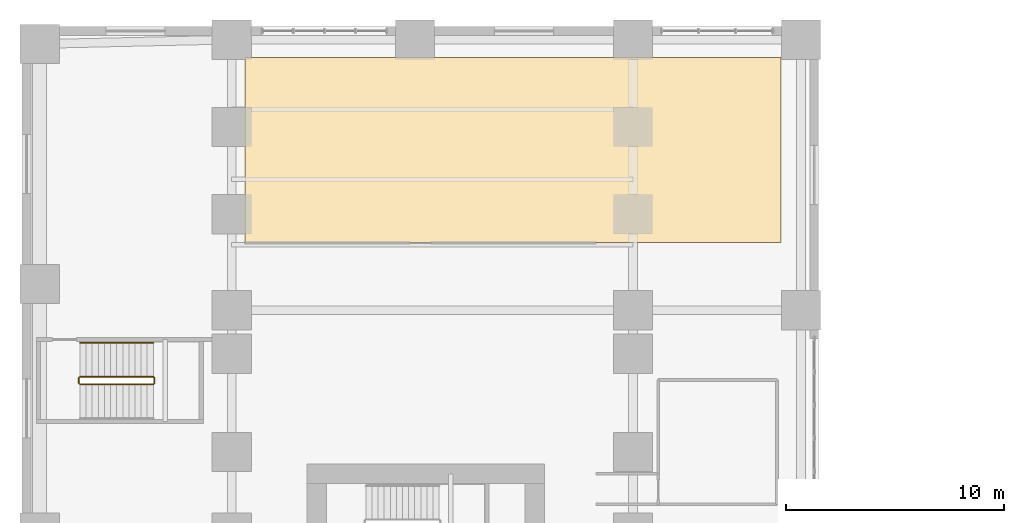
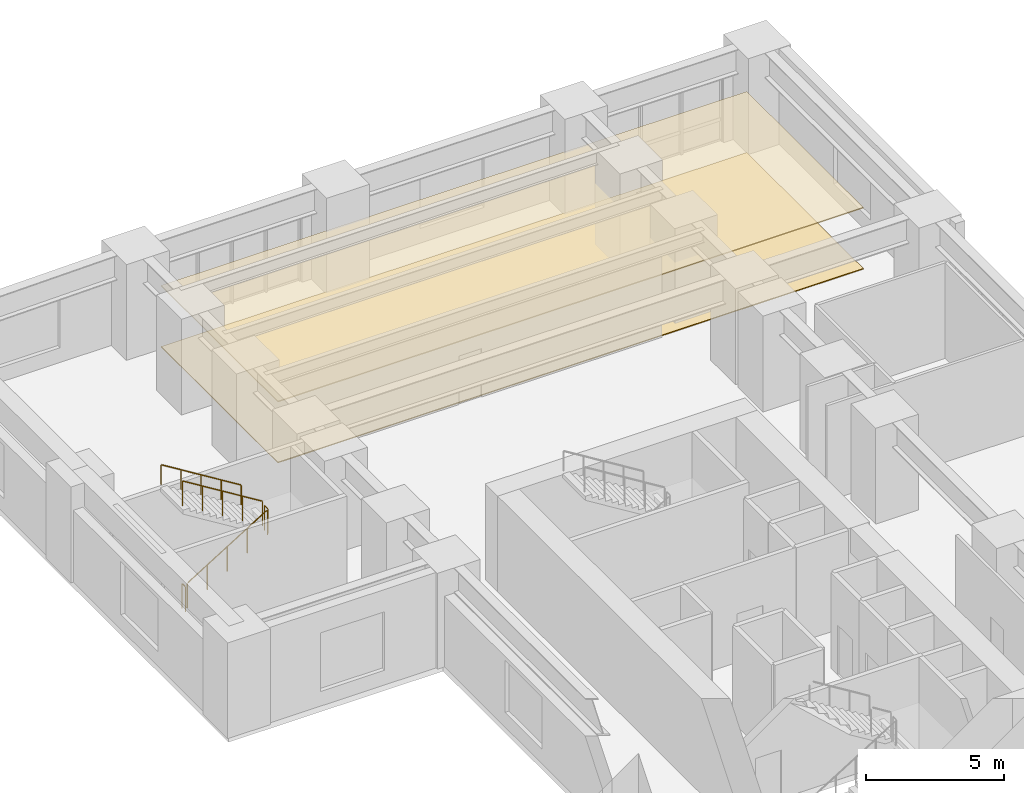
# One storey, part 13 of 13: 5 railings, 2 coverings.
"""IFC4 building model written with IfcOpenShell, lengths in metres."""

from ifc_helpers import new_model, si_unit, direction, frame, origin, origin_2d, place, context, subcontext, project, spatial, polyline, circle, outline, extrude, source, transform, mapped, material, layer, layer_set, type_object, element, save


model = new_model("IFC4")

# Units and contexts
model_context = context("Model", 3, precision=1e-05, world=origin(), true_north=direction((0.0, 1.0)))
body_context = subcontext(model_context, "Body", "Model", "MODEL_VIEW")
ifc_project = project(units=[si_unit("LENGTHUNIT", "METRE"), si_unit("AREAUNIT", "SQUARE_METRE"), si_unit("VOLUMEUNIT", "CUBIC_METRE"), si_unit("PLANEANGLEUNIT", "RADIAN"), si_unit("MASSUNIT", "GRAM", prefix="KILO")], contexts=[model_context])

# Site, building, storey
site_placement = place(None, origin())
site = spatial("IfcSite", under=ifc_project, at=site_placement, CompositionType="ELEMENT")
building_placement = place(site_placement, origin())
building = spatial("IfcBuilding", under=site, at=building_placement, Name="Kharzan Plaza Tower", CompositionType="ELEMENT")
storey_placement = place(building_placement, frame((0.0, 0.0, 4.5)))
storey = spatial("IfcBuildingStorey", under=building, at=storey_placement, Name="L01", CompositionType="ELEMENT", Elevation=4.5)

# Coverings
ifc_material_1 = material(Name="Perforated Acoustic Mineral-Fibre Tile", Category="gypsum")
ifc_layer_1 = layer(ifc_material_1, 0.044921875)
ifc_layer_set_1 = layer_set([ifc_layer_1], Name="Perforated Acoustic Mineral-Fibre Tile")
covering_type_1 = type_object("IfcCoveringType", Name="COV-CEIL-ACT", PredefinedType="CEILING", material=ifc_layer_set_1)
covering_1_placement = place(storey_placement, frame((0.0, 0.0, 2.705078125)))
element("IfcCovering", 1, at=covering_1_placement, inside=storey, type_object=covering_type_1, Name="L01 Suspended Acoustic Ceiling EXH1", PredefinedType="CEILING", context=body_context, shape_type="SweptSolid", body=[
    extrude(outline(polyline([(1.2099609375, 40.110107421875), (25.7900390625, 40.110107421875), (25.7900390625, 48.590087890625), (1.2099609375, 48.590087890625), (1.2099609375, 40.110107421875)])), origin(), (0.0, 0.0, 1.0), 0.044921875),
])
ifc_material_2 = material(Name="Honed Najran Granite Terrazzo", Category="masonry")
ifc_layer_2 = layer(ifc_material_2, 0.0400390625)
ifc_layer_set_2 = layer_set([ifc_layer_2], Name="Honed Najran Granite Terrazzo")
covering_type_2 = type_object("IfcCoveringType", Name="COV-FLOOR-STN", PredefinedType="FLOORING", material=ifc_layer_set_2)
covering_2_placement = place(storey_placement, origin())
element("IfcCovering", 2, at=covering_2_placement, inside=storey, type_object=covering_type_2, Name="L01 Honed Granite Terrazzo Flooring EXH1", PredefinedType="FLOORING", context=body_context, shape_type="SweptSolid", body=[
    extrude(outline(polyline([(1.2099609375, 40.110107421875), (25.7900390625, 40.110107421875), (25.7900390625, 48.590087890625), (1.2099609375, 48.590087890625), (1.2099609375, 40.110107421875)])), origin(), (0.0, 0.0, 1.0), 0.0400390625),
])

# Railings
ifc_material_3 = material(Name="Painted Galvanized Architectural Steel", Category="steel")
ifc_layer_3 = layer(ifc_material_3, 0.074951171875)
ifc_layer_set_3 = layer_set([ifc_layer_3], Name="Painted Galvanized Architectural Steel")
railing_type_1 = type_object("IfcRailingType", Name="RL-GUARD-1120", PredefinedType="BALUSTRADE", material=ifc_layer_set_3)
shared_shape_1 = source(origin(), body_context, "Body", "SweptSolid", [
    extrude(circle(Radius=0.02392578125, at=origin_2d()), frame((0.0224609375, 0.0, 1.10986328125), z_axis=(0.850623216509, 0.0, 0.525775754039), x_axis=(0.0, 1.0, 0.0)), (0.0, 0.0, 1.0), 3.897216796875),
    extrude(circle(Radius=0.02099609375, at=origin_2d()), origin(), (0.0, 0.0, 1.0), 1.072021484375),
    extrude(circle(Radius=0.02099609375, at=origin_2d()), frame((0.840087890625, 0.0, 0.519287109375)), (0.0, 0.0, 1.0), 1.072021484375),
    extrude(circle(Radius=0.02099609375, at=origin_2d()), frame((1.68017578125, 0.0, 1.03857421875)), (0.0, 0.0, 1.0), 1.072021484375),
    extrude(circle(Radius=0.02099609375, at=origin_2d()), frame((2.52001953125, 0.0, 1.5576171875)), (0.0, 0.0, 1.0), 1.072021484375),
    extrude(circle(Radius=0.02099609375, at=origin_2d()), frame((3.360107421875, 0.0, 2.076904296875)), (0.0, 0.0, 1.0), 1.072021484375),
])
railing_1_placement = place(storey_placement, frame((-6.35009765625, 33.60009765625, 0.173095703125)))
element("IfcRailing", 3, at=railing_1_placement, inside=storey, type_object=railing_type_1, Name="L01 ST-4 stair guard 1", PredefinedType="BALUSTRADE", context=body_context, shape_type="MappedRepresentation", body=[
    mapped(shared_shape_1, transform((0.0, 0.0, 0.0), x_axis=(1.0, 0.0, 0.0), y_axis=(0.0, 1.0, 0.0), z_axis=(0.0, 0.0, 1.0))),
])
shared_shape_2 = source(origin(), body_context, "Body", "SweptSolid", [
    extrude(circle(Radius=0.02392578125, at=origin_2d()), frame((0.0, 0.0263671875, 1.09619140625), z_axis=(0.0, 1.0, 0.0), x_axis=(-1.0, 0.0, 0.0)), (0.0, 0.0, 1.0), 0.197021484375),
    extrude(circle(Radius=0.02099609375, at=origin_2d()), origin(), (0.0, 0.0, 1.0), 1.072021484375),
    extrude(circle(Radius=0.02099609375, at=origin_2d()), frame((0.0, 0.25, 0.0)), (0.0, 0.0, 1.0), 1.072021484375),
])
for number, where, name in (
    (4, (-2.93994140625, 33.64990234375, 2.25), "L01 ST-4 stair guard 2"),
    (5, (-6.39990234375, 33.64990234375, 0.0), "L01 ST-4 stair guard 4"),
):
    element("IfcRailing", number, at=place(storey_placement, frame(where)), inside=storey, type_object=railing_type_1, Name=name, PredefinedType="BALUSTRADE", context=body_context, shape_type="MappedRepresentation", body=[
        mapped(shared_shape_2, transform((0.0, 0.0, 0.0), x_axis=(1.0, 0.0, 0.0), y_axis=(0.0, 1.0, 0.0), z_axis=(0.0, 0.0, 1.0))),
    ])
shared_shape_3 = source(origin(), body_context, "Body", "SweptSolid", [
    extrude(circle(Radius=0.02392578125, at=origin_2d()), frame((-0.0224609375, 0.0, 1.10986328125), z_axis=(-0.850623216509, 0.0, 0.525775754039), x_axis=(0.0, -1.0, 0.0)), (0.0, 0.0, 1.0), 3.897216796875),
    extrude(circle(Radius=0.02099609375, at=origin_2d()), origin(), (0.0, 0.0, 1.0), 1.072021484375),
    extrude(circle(Radius=0.02099609375, at=origin_2d()), frame((-0.840087890625, 0.0, 0.519287109375)), (0.0, 0.0, 1.0), 1.072021484375),
    extrude(circle(Radius=0.02099609375, at=origin_2d()), frame((-1.68017578125, 0.0, 1.03857421875)), (0.0, 0.0, 1.0), 1.072021484375),
    extrude(circle(Radius=0.02099609375, at=origin_2d()), frame((-2.52001953125, 0.0, 1.5576171875)), (0.0, 0.0, 1.0), 1.072021484375),
    extrude(circle(Radius=0.02099609375, at=origin_2d()), frame((-3.360107421875, 0.0, 2.076904296875)), (0.0, 0.0, 1.0), 1.072021484375),
])
railing_2_placement = place(storey_placement, frame((-2.989990234375, 33.949951171875, 2.423095703125)))
element("IfcRailing", 6, at=railing_2_placement, inside=storey, type_object=railing_type_1, Name="L01 ST-4 stair guard 3", PredefinedType="BALUSTRADE", context=body_context, shape_type="MappedRepresentation", body=[
    mapped(shared_shape_3, transform((0.0, 0.0, 0.0), x_axis=(1.0, 0.0, 0.0), y_axis=(0.0, 1.0, 0.0), z_axis=(0.0, 0.0, 1.0))),
])
ifc_material_4 = material(Name="Brushed Stainless Steel", Category="steel")
ifc_layer_4 = layer(ifc_material_4, 0.050048828125)
ifc_layer_set_4 = layer_set([ifc_layer_4], Name="Brushed Stainless Steel")
railing_type_2 = type_object("IfcRailingType", Name="RL-STAIR-HR920", PredefinedType="HANDRAIL", material=ifc_layer_set_4)
shared_shape_4 = source(origin(), body_context, "Body", "SweptSolid", [
    extrude(circle(Radius=0.02392578125, at=origin_2d()), frame((-0.0224609375, 0.0, 0.8896484375), z_axis=(-0.850623216509, 0.0, 0.525775754039), x_axis=(0.0, -1.0, 0.0)), (0.0, 0.0, 1.0), 3.897216796875),
    extrude(circle(Radius=0.02099609375, at=origin_2d()), origin(), (0.0, 0.0, 1.0), 0.851806640625),
    extrude(circle(Radius=0.02099609375, at=origin_2d()), frame((-0.840087890625, 0.0, 0.519287109375)), (0.0, 0.0, 1.0), 0.851806640625),
    extrude(circle(Radius=0.02099609375, at=origin_2d()), frame((-1.68017578125, 0.0, 1.03857421875)), (0.0, 0.0, 1.0), 0.851806640625),
    extrude(circle(Radius=0.02099609375, at=origin_2d()), frame((-2.52001953125, 0.0, 1.5576171875)), (0.0, 0.0, 1.0), 0.851806640625),
    extrude(circle(Radius=0.02099609375, at=origin_2d()), frame((-3.360107421875, 0.0, 2.076904296875)), (0.0, 0.0, 1.0), 0.851806640625),
])
railing_3_placement = place(storey_placement, frame((-2.989990234375, 35.5, 2.423095703125)))
element("IfcRailing", 7, at=railing_3_placement, inside=storey, type_object=railing_type_2, Name="L01 ST-4 stair handrail 2", PredefinedType="HANDRAIL", context=body_context, shape_type="MappedRepresentation", body=[
    mapped(shared_shape_4, transform((0.0, 0.0, 0.0), x_axis=(1.0, 0.0, 0.0), y_axis=(0.0, 1.0, 0.0), z_axis=(0.0, 0.0, 1.0))),
])

save(model, "model.ifc")
